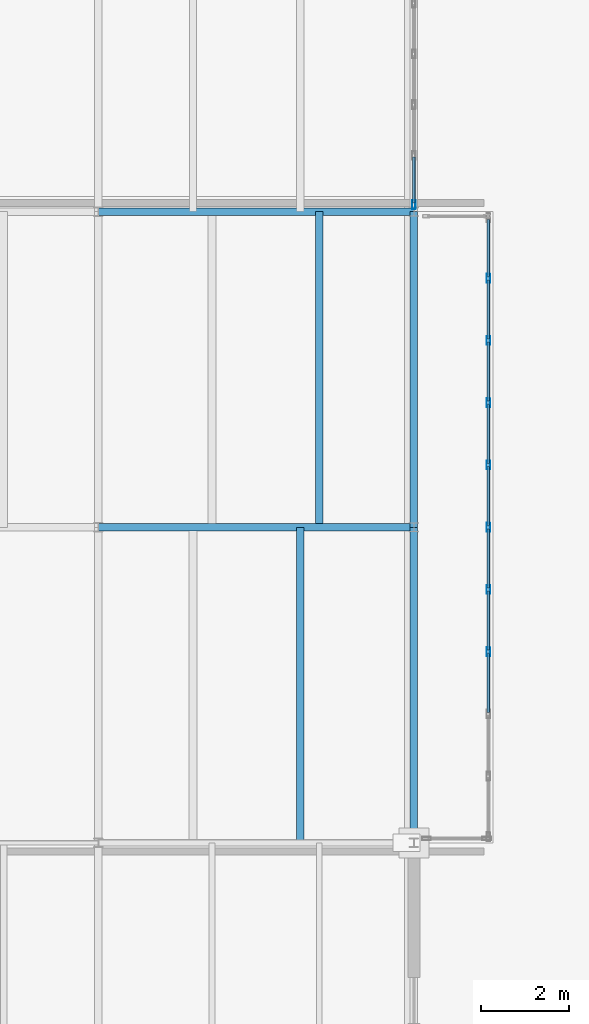
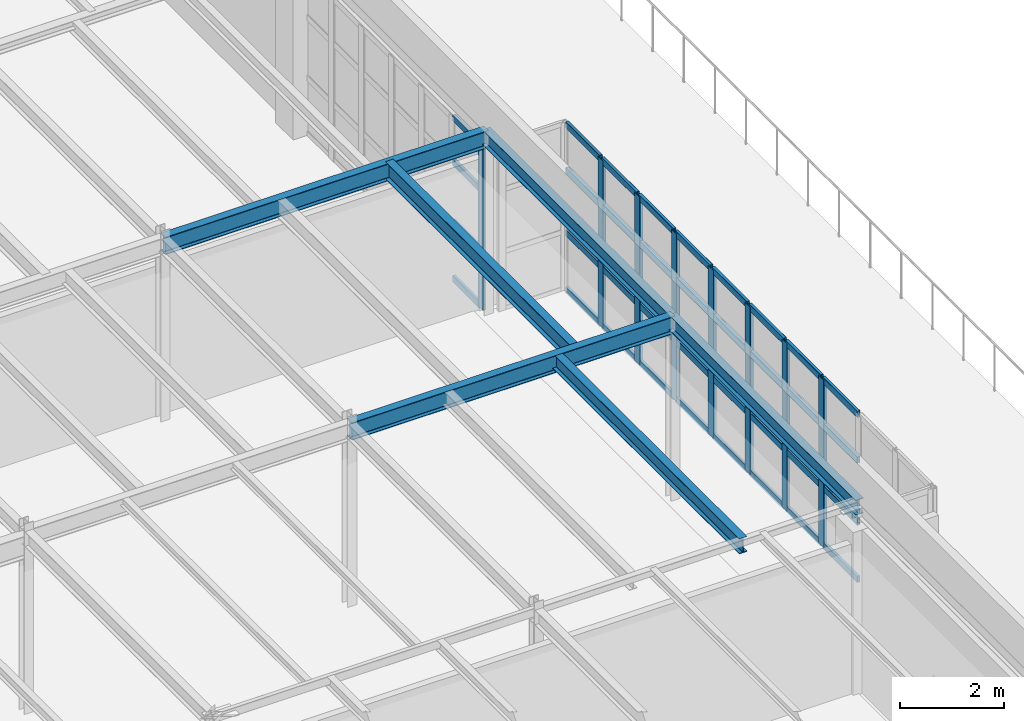
# One storey, part 34 of 43: 44 members, 6 beams, 2 elements without a shape of their own.
"""IFC4 building model written with IfcOpenShell, lengths in metres."""

from ifc_helpers import new_model, si_unit, direction, frame, origin, origin_2d, place, context, subcontext, project, spatial, hollow_rectangle, i_section, extrude, material, layer, layer_set, material_profile, profile_set, type_object, element, aggregate, save


model = new_model("IFC4")

# Units and contexts
model_context = context("Model", 3, precision=1e-05, world=origin(), true_north=direction((0.0, 1.0)))
body_context = subcontext(model_context, "Body", "Model", "MODEL_VIEW")
ifc_project = project(units=[si_unit("LENGTHUNIT", "METRE"), si_unit("AREAUNIT", "SQUARE_METRE"), si_unit("VOLUMEUNIT", "CUBIC_METRE"), si_unit("PLANEANGLEUNIT", "RADIAN"), si_unit("MASSUNIT", "GRAM", prefix="KILO")], contexts=[model_context])

# Site, building, storey
site_placement = place(None, origin())
site = spatial("IfcSite", under=ifc_project, at=site_placement, CompositionType="ELEMENT")
building_placement = place(site_placement, origin())
building = spatial("IfcBuilding", under=site, at=building_placement, Name="Kemerveld Promenade Tramway Depot", CompositionType="ELEMENT")
storey_placement = place(building_placement, frame((0.0, 0.0, 18.89990234375)))
storey = spatial("IfcBuildingStorey", under=building, at=storey_placement, Name="L04", CompositionType="ELEMENT", Elevation=18.89990234375)

# Beams
ifc_material_1 = material(Name="Steel S355", Category="steel")
ifc_material_profile_1 = material_profile(ifc_material_1, i_section(OverallWidth=0.1787109375, OverallDepth=0.409423828125, WebThickness=0.0087890625, FlangeThickness=0.014404296875, FilletRadius=0.01025390625, at=origin_2d()), Name="406x178x67 UB")
ifc_profile_set_1 = profile_set([ifc_material_profile_1], Name="Steel S355")
beam_type_1 = type_object("IfcBeamType", Name="BM-G07", PredefinedType="BEAM", material=ifc_profile_set_1)
for number, where, z_axis, x_axis, name in (
    (1, (28.800048828125, 36.0, 4.115478515625), (1.0, 0.0, 0.0), (0.0, 1.0, 0.0), "BMX-L04-05-06-F"),
    (2, (28.800048828125, 43.199951171875, 4.115478515625), (1.0, 0.0, 0.0), (0.0, 1.0, 0.0), "BMX-L04-05-06-G"),
):
    element("IfcBeam", number, at=place(storey_placement, frame(where, z_axis=z_axis, x_axis=x_axis)), inside=storey, type_object=beam_type_1, Name=name, PredefinedType="BEAM", context=body_context, shape_type="SweptSolid", body=[
        extrude(i_section(OverallWidth=0.1787109375, OverallDepth=0.409423828125, WebThickness=0.0087890625, FlangeThickness=0.014404296875, FilletRadius=0.01025390625, at=origin_2d()), origin(), (0.0, 0.0, 1.0), 7.199951171875),
    ])
ifc_material_profile_2 = material_profile(ifc_material_1, i_section(OverallWidth=0.172119140625, OverallDepth=0.35791015625, WebThickness=0.008056640625, FlangeThickness=0.012939453125, FilletRadius=0.01025390625, at=origin_2d()), Name="356x171x57 UB")
ifc_profile_set_2 = profile_set([ifc_material_profile_2], Name="Steel S355")
beam_type_2 = type_object("IfcBeamType", Name="BM-G08", PredefinedType="BEAM", material=ifc_profile_set_2)
for number, where, z_axis, x_axis, name in (
    (3, (36.0, 28.800048828125, 4.14111328125), (0.0, 1.0, 0.0), (-1.0, 0.0, 0.0), "BMY-L04-06-E-F"),
    (4, (36.0, 36.0, 4.14111328125), (0.0, 1.0, 0.0), (-1.0, 0.0, 0.0), "BMY-L04-06-F-G"),
):
    element("IfcBeam", number, at=place(storey_placement, frame(where, z_axis=z_axis, x_axis=x_axis)), inside=storey, type_object=beam_type_2, Name=name, PredefinedType="BEAM", context=body_context, shape_type="SweptSolid", body=[
        extrude(i_section(OverallWidth=0.172119140625, OverallDepth=0.35791015625, WebThickness=0.008056640625, FlangeThickness=0.012939453125, FilletRadius=0.01025390625, at=origin_2d()), origin(), (0.0, 0.0, 1.0), 7.199951171875),
    ])
ifc_material_profile_3 = material_profile(ifc_material_1, i_section(OverallWidth=0.172119140625, OverallDepth=0.35791015625, WebThickness=0.008056640625, FlangeThickness=0.012939453125, FilletRadius=0.01025390625, at=origin_2d()), Name="356x171x57 UB")
ifc_profile_set_3 = profile_set([ifc_material_profile_3], Name="Steel S355")
beam_type_3 = type_object("IfcBeamType", Name="BM-J04", PredefinedType="JOIST", material=ifc_profile_set_3)
beam_1_placement = place(storey_placement, frame((33.407958984375, 28.800048828125, 4.14111328125), z_axis=(0.0, 1.0, 0.0), x_axis=(-1.0, 0.0, 0.0)))
element("IfcBeam", 5, at=beam_1_placement, inside=storey, type_object=beam_type_3, Name="JST-L04-05-E-2", PredefinedType="JOIST", context=body_context, shape_type="SweptSolid", body=[
    extrude(i_section(OverallWidth=0.172119140625, OverallDepth=0.35791015625, WebThickness=0.008056640625, FlangeThickness=0.012939453125, FilletRadius=0.01025390625, at=origin_2d()), origin(), (0.0, 0.0, 1.0), 7.199951171875),
])
ifc_material_profile_4 = material_profile(ifc_material_1, i_section(OverallWidth=0.1787109375, OverallDepth=0.409423828125, WebThickness=0.0087890625, FlangeThickness=0.014404296875, FilletRadius=0.01025390625, at=origin_2d()), Name="406x178x67 UB")
ifc_profile_set_4 = profile_set([ifc_material_profile_4], Name="Steel S355")
beam_type_4 = type_object("IfcBeamType", Name="BM-J05", PredefinedType="JOIST", material=ifc_profile_set_4)
beam_2_placement = place(storey_placement, frame((33.840087890625, 36.0, 4.115478515625), z_axis=(0.0, 1.0, 0.0), x_axis=(-1.0, 0.0, 0.0)))
element("IfcBeam", 6, at=beam_2_placement, inside=storey, type_object=beam_type_4, Name="JST-L04-05-F-2", PredefinedType="JOIST", context=body_context, shape_type="SweptSolid", body=[
    extrude(i_section(OverallWidth=0.1787109375, OverallDepth=0.409423828125, WebThickness=0.0087890625, FlangeThickness=0.014404296875, FilletRadius=0.01025390625, at=origin_2d()), origin(), (0.0, 0.0, 1.0), 7.199951171875),
])

# Curtain wall, member
ifc_material_2 = material(Name="Bronze anodised aluminium and solar glass", Category="aluminium")
ifc_layer_1 = layer(ifc_material_2, 0.199951171875)
ifc_layer_set_1 = layer_set([ifc_layer_1], Name="CW-SYS-06")
curtain_wall_type_1 = type_object("IfcCurtainWallType", Name="CW-SYS-06", PredefinedType="USERDEFINED", material=ifc_layer_set_1)
curtain_wall_1_placement = place(storey_placement, origin())
curtain_wall_1 = element("IfcCurtainWall", 7, at=curtain_wall_1_placement, inside=storey, type_object=curtain_wall_type_1, Name="CW-L04-V5EN-02", ObjectType="GLAZED_CURTAIN_WALL", PredefinedType="USERDEFINED")
ifc_material_3 = material(Name="Bronze anodised aluminium", Category="aluminium")
ifc_material_profile_5 = material_profile(ifc_material_3, hollow_rectangle(XDim=0.074951171875, YDim=0.199951171875, WallThickness=0.0048828125, InnerFilletRadius=0.001953125, OuterFilletRadius=0.0048828125, at=origin_2d()), Name="CW-MUL-200x75")
ifc_profile_set_5 = profile_set([ifc_material_profile_5], Name="Bronze anodised aluminium")
member_type_1 = type_object("IfcMemberType", Name="CW-MUL-B", PredefinedType="MULLION", material=ifc_profile_set_5)
member_1_placement = place(storey_placement, frame((36.0, 43.3623046875, 0.0), z_axis=(0.0, 0.0, 1.0), x_axis=(1.0, 0.0, 0.0)))
member_1 = element("IfcMember", 8, at=member_1_placement, type_object=member_type_1, Name="CW06 mullion 7", PredefinedType="MULLION", context=body_context, shape_type="SweptSolid", body=[
    extrude(hollow_rectangle(XDim=0.074951171875, YDim=0.199951171875, WallThickness=0.0048828125, InnerFilletRadius=0.001953125, OuterFilletRadius=0.0048828125, at=origin_2d()), origin(), (0.0, 0.0, 1.0), 3.85009765625),
])

# Curtain wall, members
ifc_layer_2 = layer(ifc_material_2, 0.199951171875)
ifc_layer_set_2 = layer_set([ifc_layer_2], Name="CW-SYS-02")
curtain_wall_type_2 = type_object("IfcCurtainWallType", Name="CW-SYS-02", PredefinedType="USERDEFINED", material=ifc_layer_set_2)
curtain_wall_2_placement = place(storey_placement, origin())
curtain_wall_2 = element("IfcCurtainWall", 9, at=curtain_wall_2_placement, inside=storey, type_object=curtain_wall_type_2, Name="CW-L04-CUMBA-E", ObjectType="GLAZED_CURTAIN_WALL", PredefinedType="USERDEFINED")
member_2_placement = place(storey_placement, frame((37.699951171875, 41.679931640625, 0.0), z_axis=(0.0, 0.0, 1.0), x_axis=(1.0, 0.0, 0.0)))
member_2 = element("IfcMember", 10, at=member_2_placement, type_object=member_type_1, Name="CW02 mullion 2", PredefinedType="MULLION", context=body_context, shape_type="SweptSolid", body=[
    extrude(hollow_rectangle(XDim=0.074951171875, YDim=0.199951171875, WallThickness=0.0048828125, InnerFilletRadius=0.001953125, OuterFilletRadius=0.0048828125, at=origin_2d()), origin(), (0.0, 0.0, 1.0), 3.9501953125),
])
member_3_placement = place(storey_placement, frame((37.699951171875, 40.260009765625, 0.0), z_axis=(0.0, 0.0, 1.0), x_axis=(1.0, 0.0, 0.0)))
member_3 = element("IfcMember", 11, at=member_3_placement, type_object=member_type_1, Name="CW02 mullion 3", PredefinedType="MULLION", context=body_context, shape_type="SweptSolid", body=[
    extrude(hollow_rectangle(XDim=0.074951171875, YDim=0.199951171875, WallThickness=0.0048828125, InnerFilletRadius=0.001953125, OuterFilletRadius=0.0048828125, at=origin_2d()), origin(), (0.0, 0.0, 1.0), 3.9501953125),
])
member_4_placement = place(storey_placement, frame((37.699951171875, 38.840087890625, 0.0), z_axis=(0.0, 0.0, 1.0), x_axis=(1.0, 0.0, 0.0)))
member_4 = element("IfcMember", 12, at=member_4_placement, type_object=member_type_1, Name="CW02 mullion 4", PredefinedType="MULLION", context=body_context, shape_type="SweptSolid", body=[
    extrude(hollow_rectangle(XDim=0.074951171875, YDim=0.199951171875, WallThickness=0.0048828125, InnerFilletRadius=0.001953125, OuterFilletRadius=0.0048828125, at=origin_2d()), origin(), (0.0, 0.0, 1.0), 3.9501953125),
])
member_5_placement = place(storey_placement, frame((37.699951171875, 37.419921875, 0.0), z_axis=(0.0, 0.0, 1.0), x_axis=(1.0, 0.0, 0.0)))
member_5 = element("IfcMember", 13, at=member_5_placement, type_object=member_type_1, Name="CW02 mullion 5", PredefinedType="MULLION", context=body_context, shape_type="SweptSolid", body=[
    extrude(hollow_rectangle(XDim=0.074951171875, YDim=0.199951171875, WallThickness=0.0048828125, InnerFilletRadius=0.001953125, OuterFilletRadius=0.0048828125, at=origin_2d()), origin(), (0.0, 0.0, 1.0), 3.9501953125),
])
member_6_placement = place(storey_placement, frame((37.699951171875, 36.0, 0.0), z_axis=(0.0, 0.0, 1.0), x_axis=(1.0, 0.0, 0.0)))
member_6 = element("IfcMember", 14, at=member_6_placement, type_object=member_type_1, Name="CW02 mullion 6", PredefinedType="MULLION", context=body_context, shape_type="SweptSolid", body=[
    extrude(hollow_rectangle(XDim=0.074951171875, YDim=0.199951171875, WallThickness=0.0048828125, InnerFilletRadius=0.001953125, OuterFilletRadius=0.0048828125, at=origin_2d()), origin(), (0.0, 0.0, 1.0), 3.9501953125),
])
member_7_placement = place(storey_placement, frame((37.699951171875, 34.580078125, 0.0), z_axis=(0.0, 0.0, 1.0), x_axis=(1.0, 0.0, 0.0)))
member_7 = element("IfcMember", 15, at=member_7_placement, type_object=member_type_1, Name="CW02 mullion 7", PredefinedType="MULLION", context=body_context, shape_type="SweptSolid", body=[
    extrude(hollow_rectangle(XDim=0.074951171875, YDim=0.199951171875, WallThickness=0.0048828125, InnerFilletRadius=0.001953125, OuterFilletRadius=0.0048828125, at=origin_2d()), origin(), (0.0, 0.0, 1.0), 3.9501953125),
])
member_8_placement = place(storey_placement, frame((37.699951171875, 33.159912109375, 0.0), z_axis=(0.0, 0.0, 1.0), x_axis=(1.0, 0.0, 0.0)))
member_8 = element("IfcMember", 16, at=member_8_placement, type_object=member_type_1, Name="CW02 mullion 8", PredefinedType="MULLION", context=body_context, shape_type="SweptSolid", body=[
    extrude(hollow_rectangle(XDim=0.074951171875, YDim=0.199951171875, WallThickness=0.0048828125, InnerFilletRadius=0.001953125, OuterFilletRadius=0.0048828125, at=origin_2d()), origin(), (0.0, 0.0, 1.0), 3.9501953125),
])

# Member
ifc_material_profile_6 = material_profile(ifc_material_3, hollow_rectangle(XDim=0.06494140625, YDim=0.14990234375, WallThickness=0.00439453125, InnerFilletRadius=0.001953125, OuterFilletRadius=0.00439453125, at=origin_2d()), Name="CW-TRN-150x65")
ifc_profile_set_6 = profile_set([ifc_material_profile_6], Name="Bronze anodised aluminium")
member_type_2 = type_object("IfcMemberType", Name="CW-TRN-B", PredefinedType="USERDEFINED", material=ifc_profile_set_6)
member_9_placement = place(storey_placement, frame((36.0, 44.44580078125, 0.03271484375), z_axis=(0.0, -1.0, 0.0), x_axis=(1.0, 0.0, 0.0)))
member_9 = element("IfcMember", 17, at=member_9_placement, type_object=member_type_2, Name="CW06 transom 6.1", ObjectType="TRANSOM", PredefinedType="USERDEFINED", context=body_context, shape_type="SweptSolid", body=[
    extrude(hollow_rectangle(XDim=0.06494140625, YDim=0.14990234375, WallThickness=0.00439453125, InnerFilletRadius=0.001953125, OuterFilletRadius=0.00439453125, at=origin_2d()), origin(), (0.0, 0.0, 1.0), 1.0458984375),
])

member_10_placement = place(storey_placement, frame((36.0, 44.44580078125, 1.34716796875), z_axis=(0.0, -1.0, 0.0), x_axis=(1.0, 0.0, 0.0)))
member_10 = element("IfcMember", 18, at=member_10_placement, type_object=member_type_2, Name="CW06 transom 6.2", ObjectType="TRANSOM", PredefinedType="USERDEFINED", context=body_context, shape_type="SweptSolid", body=[
    extrude(hollow_rectangle(XDim=0.06494140625, YDim=0.14990234375, WallThickness=0.00439453125, InnerFilletRadius=0.001953125, OuterFilletRadius=0.00439453125, at=origin_2d()), origin(), (0.0, 0.0, 1.0), 1.0458984375),
])

member_11_placement = place(storey_placement, frame((36.0, 44.44580078125, 2.772216796875), z_axis=(0.0, -1.0, 0.0), x_axis=(1.0, 0.0, 0.0)))
member_11 = element("IfcMember", 19, at=member_11_placement, type_object=member_type_2, Name="CW06 transom 6.3", ObjectType="TRANSOM", PredefinedType="USERDEFINED", context=body_context, shape_type="SweptSolid", body=[
    extrude(hollow_rectangle(XDim=0.06494140625, YDim=0.14990234375, WallThickness=0.00439453125, InnerFilletRadius=0.001953125, OuterFilletRadius=0.00439453125, at=origin_2d()), origin(), (0.0, 0.0, 1.0), 1.0458984375),
])

member_12_placement = place(storey_placement, frame((36.0, 44.44580078125, 3.817626953125), z_axis=(0.0, -1.0, 0.0), x_axis=(1.0, 0.0, 0.0)))
member_12 = element("IfcMember", 20, at=member_12_placement, type_object=member_type_2, Name="CW06 transom 6.4", ObjectType="TRANSOM", PredefinedType="USERDEFINED", context=body_context, shape_type="SweptSolid", body=[
    extrude(hollow_rectangle(XDim=0.06494140625, YDim=0.14990234375, WallThickness=0.00439453125, InnerFilletRadius=0.001953125, OuterFilletRadius=0.00439453125, at=origin_2d()), origin(), (0.0, 0.0, 1.0), 1.0458984375),
])

aggregate(curtain_wall_1, [member_1, member_9, member_10, member_11, member_12])

member_13_placement = place(storey_placement, frame((37.699951171875, 43.02490234375, 0.03271484375), z_axis=(0.0, -1.0, 0.0), x_axis=(1.0, 0.0, 0.0)))
member_13 = element("IfcMember", 21, at=member_13_placement, type_object=member_type_2, Name="CW02 transom 1.1", ObjectType="TRANSOM", PredefinedType="USERDEFINED", context=body_context, shape_type="SweptSolid", body=[
    extrude(hollow_rectangle(XDim=0.06494140625, YDim=0.14990234375, WallThickness=0.00439453125, InnerFilletRadius=0.001953125, OuterFilletRadius=0.00439453125, at=origin_2d()), origin(), (0.0, 0.0, 1.0), 1.307373046875),
])

member_14_placement = place(storey_placement, frame((37.699951171875, 43.02490234375, 1.382080078125), z_axis=(0.0, -1.0, 0.0), x_axis=(1.0, 0.0, 0.0)))
member_14 = element("IfcMember", 22, at=member_14_placement, type_object=member_type_2, Name="CW02 transom 1.2", ObjectType="TRANSOM", PredefinedType="USERDEFINED", context=body_context, shape_type="SweptSolid", body=[
    extrude(hollow_rectangle(XDim=0.06494140625, YDim=0.14990234375, WallThickness=0.00439453125, InnerFilletRadius=0.001953125, OuterFilletRadius=0.00439453125, at=origin_2d()), origin(), (0.0, 0.0, 1.0), 1.307373046875),
])

member_15_placement = place(storey_placement, frame((37.699951171875, 43.02490234375, 2.843994140625), z_axis=(0.0, -1.0, 0.0), x_axis=(1.0, 0.0, 0.0)))
member_15 = element("IfcMember", 23, at=member_15_placement, type_object=member_type_2, Name="CW02 transom 1.3", ObjectType="TRANSOM", PredefinedType="USERDEFINED", context=body_context, shape_type="SweptSolid", body=[
    extrude(hollow_rectangle(XDim=0.06494140625, YDim=0.14990234375, WallThickness=0.00439453125, InnerFilletRadius=0.001953125, OuterFilletRadius=0.00439453125, at=origin_2d()), origin(), (0.0, 0.0, 1.0), 1.307373046875),
])

member_16_placement = place(storey_placement, frame((37.699951171875, 43.02490234375, 3.91748046875), z_axis=(0.0, -1.0, 0.0), x_axis=(1.0, 0.0, 0.0)))
member_16 = element("IfcMember", 24, at=member_16_placement, type_object=member_type_2, Name="CW02 transom 1.4", ObjectType="TRANSOM", PredefinedType="USERDEFINED", context=body_context, shape_type="SweptSolid", body=[
    extrude(hollow_rectangle(XDim=0.06494140625, YDim=0.14990234375, WallThickness=0.00439453125, InnerFilletRadius=0.001953125, OuterFilletRadius=0.00439453125, at=origin_2d()), origin(), (0.0, 0.0, 1.0), 1.307373046875),
])

member_17_placement = place(storey_placement, frame((37.699951171875, 41.642578125, 0.03271484375), z_axis=(0.0, -1.0, 0.0), x_axis=(1.0, 0.0, 0.0)))
member_17 = element("IfcMember", 25, at=member_17_placement, type_object=member_type_2, Name="CW02 transom 2.1", ObjectType="TRANSOM", PredefinedType="USERDEFINED", context=body_context, shape_type="SweptSolid", body=[
    extrude(hollow_rectangle(XDim=0.06494140625, YDim=0.14990234375, WallThickness=0.00439453125, InnerFilletRadius=0.001953125, OuterFilletRadius=0.00439453125, at=origin_2d()), origin(), (0.0, 0.0, 1.0), 1.344970703125),
])

member_18_placement = place(storey_placement, frame((37.699951171875, 41.642578125, 1.382080078125), z_axis=(0.0, -1.0, 0.0), x_axis=(1.0, 0.0, 0.0)))
member_18 = element("IfcMember", 26, at=member_18_placement, type_object=member_type_2, Name="CW02 transom 2.2", ObjectType="TRANSOM", PredefinedType="USERDEFINED", context=body_context, shape_type="SweptSolid", body=[
    extrude(hollow_rectangle(XDim=0.06494140625, YDim=0.14990234375, WallThickness=0.00439453125, InnerFilletRadius=0.001953125, OuterFilletRadius=0.00439453125, at=origin_2d()), origin(), (0.0, 0.0, 1.0), 1.344970703125),
])

member_19_placement = place(storey_placement, frame((37.699951171875, 41.642578125, 2.843994140625), z_axis=(0.0, -1.0, 0.0), x_axis=(1.0, 0.0, 0.0)))
member_19 = element("IfcMember", 27, at=member_19_placement, type_object=member_type_2, Name="CW02 transom 2.3", ObjectType="TRANSOM", PredefinedType="USERDEFINED", context=body_context, shape_type="SweptSolid", body=[
    extrude(hollow_rectangle(XDim=0.06494140625, YDim=0.14990234375, WallThickness=0.00439453125, InnerFilletRadius=0.001953125, OuterFilletRadius=0.00439453125, at=origin_2d()), origin(), (0.0, 0.0, 1.0), 1.344970703125),
])

member_20_placement = place(storey_placement, frame((37.699951171875, 41.642578125, 3.91748046875), z_axis=(0.0, -1.0, 0.0), x_axis=(1.0, 0.0, 0.0)))
member_20 = element("IfcMember", 28, at=member_20_placement, type_object=member_type_2, Name="CW02 transom 2.4", ObjectType="TRANSOM", PredefinedType="USERDEFINED", context=body_context, shape_type="SweptSolid", body=[
    extrude(hollow_rectangle(XDim=0.06494140625, YDim=0.14990234375, WallThickness=0.00439453125, InnerFilletRadius=0.001953125, OuterFilletRadius=0.00439453125, at=origin_2d()), origin(), (0.0, 0.0, 1.0), 1.344970703125),
])

member_21_placement = place(storey_placement, frame((37.699951171875, 40.222412109375, 0.03271484375), z_axis=(0.0, -1.0, 0.0), x_axis=(1.0, 0.0, 0.0)))
member_21 = element("IfcMember", 29, at=member_21_placement, type_object=member_type_2, Name="CW02 transom 3.1", ObjectType="TRANSOM", PredefinedType="USERDEFINED", context=body_context, shape_type="SweptSolid", body=[
    extrude(hollow_rectangle(XDim=0.06494140625, YDim=0.14990234375, WallThickness=0.00439453125, InnerFilletRadius=0.001953125, OuterFilletRadius=0.00439453125, at=origin_2d()), origin(), (0.0, 0.0, 1.0), 1.344970703125),
])

member_22_placement = place(storey_placement, frame((37.699951171875, 40.222412109375, 1.382080078125), z_axis=(0.0, -1.0, 0.0), x_axis=(1.0, 0.0, 0.0)))
member_22 = element("IfcMember", 30, at=member_22_placement, type_object=member_type_2, Name="CW02 transom 3.2", ObjectType="TRANSOM", PredefinedType="USERDEFINED", context=body_context, shape_type="SweptSolid", body=[
    extrude(hollow_rectangle(XDim=0.06494140625, YDim=0.14990234375, WallThickness=0.00439453125, InnerFilletRadius=0.001953125, OuterFilletRadius=0.00439453125, at=origin_2d()), origin(), (0.0, 0.0, 1.0), 1.344970703125),
])

member_23_placement = place(storey_placement, frame((37.699951171875, 40.222412109375, 2.843994140625), z_axis=(0.0, -1.0, 0.0), x_axis=(1.0, 0.0, 0.0)))
member_23 = element("IfcMember", 31, at=member_23_placement, type_object=member_type_2, Name="CW02 transom 3.3", ObjectType="TRANSOM", PredefinedType="USERDEFINED", context=body_context, shape_type="SweptSolid", body=[
    extrude(hollow_rectangle(XDim=0.06494140625, YDim=0.14990234375, WallThickness=0.00439453125, InnerFilletRadius=0.001953125, OuterFilletRadius=0.00439453125, at=origin_2d()), origin(), (0.0, 0.0, 1.0), 1.344970703125),
])

member_24_placement = place(storey_placement, frame((37.699951171875, 40.222412109375, 3.91748046875), z_axis=(0.0, -1.0, 0.0), x_axis=(1.0, 0.0, 0.0)))
member_24 = element("IfcMember", 32, at=member_24_placement, type_object=member_type_2, Name="CW02 transom 3.4", ObjectType="TRANSOM", PredefinedType="USERDEFINED", context=body_context, shape_type="SweptSolid", body=[
    extrude(hollow_rectangle(XDim=0.06494140625, YDim=0.14990234375, WallThickness=0.00439453125, InnerFilletRadius=0.001953125, OuterFilletRadius=0.00439453125, at=origin_2d()), origin(), (0.0, 0.0, 1.0), 1.344970703125),
])

member_25_placement = place(storey_placement, frame((37.699951171875, 38.802490234375, 0.03271484375), z_axis=(0.0, -1.0, 0.0), x_axis=(1.0, 0.0, 0.0)))
member_25 = element("IfcMember", 33, at=member_25_placement, type_object=member_type_2, Name="CW02 transom 4.1", ObjectType="TRANSOM", PredefinedType="USERDEFINED", context=body_context, shape_type="SweptSolid", body=[
    extrude(hollow_rectangle(XDim=0.06494140625, YDim=0.14990234375, WallThickness=0.00439453125, InnerFilletRadius=0.001953125, OuterFilletRadius=0.00439453125, at=origin_2d()), origin(), (0.0, 0.0, 1.0), 1.344970703125),
])

member_26_placement = place(storey_placement, frame((37.699951171875, 38.802490234375, 1.382080078125), z_axis=(0.0, -1.0, 0.0), x_axis=(1.0, 0.0, 0.0)))
member_26 = element("IfcMember", 34, at=member_26_placement, type_object=member_type_2, Name="CW02 transom 4.2", ObjectType="TRANSOM", PredefinedType="USERDEFINED", context=body_context, shape_type="SweptSolid", body=[
    extrude(hollow_rectangle(XDim=0.06494140625, YDim=0.14990234375, WallThickness=0.00439453125, InnerFilletRadius=0.001953125, OuterFilletRadius=0.00439453125, at=origin_2d()), origin(), (0.0, 0.0, 1.0), 1.344970703125),
])

member_27_placement = place(storey_placement, frame((37.699951171875, 38.802490234375, 2.843994140625), z_axis=(0.0, -1.0, 0.0), x_axis=(1.0, 0.0, 0.0)))
member_27 = element("IfcMember", 35, at=member_27_placement, type_object=member_type_2, Name="CW02 transom 4.3", ObjectType="TRANSOM", PredefinedType="USERDEFINED", context=body_context, shape_type="SweptSolid", body=[
    extrude(hollow_rectangle(XDim=0.06494140625, YDim=0.14990234375, WallThickness=0.00439453125, InnerFilletRadius=0.001953125, OuterFilletRadius=0.00439453125, at=origin_2d()), origin(), (0.0, 0.0, 1.0), 1.344970703125),
])

member_28_placement = place(storey_placement, frame((37.699951171875, 38.802490234375, 3.91748046875), z_axis=(0.0, -1.0, 0.0), x_axis=(1.0, 0.0, 0.0)))
member_28 = element("IfcMember", 36, at=member_28_placement, type_object=member_type_2, Name="CW02 transom 4.4", ObjectType="TRANSOM", PredefinedType="USERDEFINED", context=body_context, shape_type="SweptSolid", body=[
    extrude(hollow_rectangle(XDim=0.06494140625, YDim=0.14990234375, WallThickness=0.00439453125, InnerFilletRadius=0.001953125, OuterFilletRadius=0.00439453125, at=origin_2d()), origin(), (0.0, 0.0, 1.0), 1.344970703125),
])

member_29_placement = place(storey_placement, frame((37.699951171875, 37.382568359375, 0.03271484375), z_axis=(0.0, -1.0, 0.0), x_axis=(1.0, 0.0, 0.0)))
member_29 = element("IfcMember", 37, at=member_29_placement, type_object=member_type_2, Name="CW02 transom 5.1", ObjectType="TRANSOM", PredefinedType="USERDEFINED", context=body_context, shape_type="SweptSolid", body=[
    extrude(hollow_rectangle(XDim=0.06494140625, YDim=0.14990234375, WallThickness=0.00439453125, InnerFilletRadius=0.001953125, OuterFilletRadius=0.00439453125, at=origin_2d()), origin(), (0.0, 0.0, 1.0), 1.344970703125),
])

member_30_placement = place(storey_placement, frame((37.699951171875, 37.382568359375, 1.382080078125), z_axis=(0.0, -1.0, 0.0), x_axis=(1.0, 0.0, 0.0)))
member_30 = element("IfcMember", 38, at=member_30_placement, type_object=member_type_2, Name="CW02 transom 5.2", ObjectType="TRANSOM", PredefinedType="USERDEFINED", context=body_context, shape_type="SweptSolid", body=[
    extrude(hollow_rectangle(XDim=0.06494140625, YDim=0.14990234375, WallThickness=0.00439453125, InnerFilletRadius=0.001953125, OuterFilletRadius=0.00439453125, at=origin_2d()), origin(), (0.0, 0.0, 1.0), 1.344970703125),
])

member_31_placement = place(storey_placement, frame((37.699951171875, 37.382568359375, 2.843994140625), z_axis=(0.0, -1.0, 0.0), x_axis=(1.0, 0.0, 0.0)))
member_31 = element("IfcMember", 39, at=member_31_placement, type_object=member_type_2, Name="CW02 transom 5.3", ObjectType="TRANSOM", PredefinedType="USERDEFINED", context=body_context, shape_type="SweptSolid", body=[
    extrude(hollow_rectangle(XDim=0.06494140625, YDim=0.14990234375, WallThickness=0.00439453125, InnerFilletRadius=0.001953125, OuterFilletRadius=0.00439453125, at=origin_2d()), origin(), (0.0, 0.0, 1.0), 1.344970703125),
])

member_32_placement = place(storey_placement, frame((37.699951171875, 37.382568359375, 3.91748046875), z_axis=(0.0, -1.0, 0.0), x_axis=(1.0, 0.0, 0.0)))
member_32 = element("IfcMember", 40, at=member_32_placement, type_object=member_type_2, Name="CW02 transom 5.4", ObjectType="TRANSOM", PredefinedType="USERDEFINED", context=body_context, shape_type="SweptSolid", body=[
    extrude(hollow_rectangle(XDim=0.06494140625, YDim=0.14990234375, WallThickness=0.00439453125, InnerFilletRadius=0.001953125, OuterFilletRadius=0.00439453125, at=origin_2d()), origin(), (0.0, 0.0, 1.0), 1.344970703125),
])

member_33_placement = place(storey_placement, frame((37.699951171875, 35.96240234375, 0.03271484375), z_axis=(0.0, -1.0, 0.0), x_axis=(1.0, 0.0, 0.0)))
member_33 = element("IfcMember", 41, at=member_33_placement, type_object=member_type_2, Name="CW02 transom 6.1", ObjectType="TRANSOM", PredefinedType="USERDEFINED", context=body_context, shape_type="SweptSolid", body=[
    extrude(hollow_rectangle(XDim=0.06494140625, YDim=0.14990234375, WallThickness=0.00439453125, InnerFilletRadius=0.001953125, OuterFilletRadius=0.00439453125, at=origin_2d()), origin(), (0.0, 0.0, 1.0), 1.344970703125),
])

member_34_placement = place(storey_placement, frame((37.699951171875, 35.96240234375, 1.382080078125), z_axis=(0.0, -1.0, 0.0), x_axis=(1.0, 0.0, 0.0)))
member_34 = element("IfcMember", 42, at=member_34_placement, type_object=member_type_2, Name="CW02 transom 6.2", ObjectType="TRANSOM", PredefinedType="USERDEFINED", context=body_context, shape_type="SweptSolid", body=[
    extrude(hollow_rectangle(XDim=0.06494140625, YDim=0.14990234375, WallThickness=0.00439453125, InnerFilletRadius=0.001953125, OuterFilletRadius=0.00439453125, at=origin_2d()), origin(), (0.0, 0.0, 1.0), 1.344970703125),
])

member_35_placement = place(storey_placement, frame((37.699951171875, 35.96240234375, 2.843994140625), z_axis=(0.0, -1.0, 0.0), x_axis=(1.0, 0.0, 0.0)))
member_35 = element("IfcMember", 43, at=member_35_placement, type_object=member_type_2, Name="CW02 transom 6.3", ObjectType="TRANSOM", PredefinedType="USERDEFINED", context=body_context, shape_type="SweptSolid", body=[
    extrude(hollow_rectangle(XDim=0.06494140625, YDim=0.14990234375, WallThickness=0.00439453125, InnerFilletRadius=0.001953125, OuterFilletRadius=0.00439453125, at=origin_2d()), origin(), (0.0, 0.0, 1.0), 1.344970703125),
])

member_36_placement = place(storey_placement, frame((37.699951171875, 35.96240234375, 3.91748046875), z_axis=(0.0, -1.0, 0.0), x_axis=(1.0, 0.0, 0.0)))
member_36 = element("IfcMember", 44, at=member_36_placement, type_object=member_type_2, Name="CW02 transom 6.4", ObjectType="TRANSOM", PredefinedType="USERDEFINED", context=body_context, shape_type="SweptSolid", body=[
    extrude(hollow_rectangle(XDim=0.06494140625, YDim=0.14990234375, WallThickness=0.00439453125, InnerFilletRadius=0.001953125, OuterFilletRadius=0.00439453125, at=origin_2d()), origin(), (0.0, 0.0, 1.0), 1.344970703125),
])

member_37_placement = place(storey_placement, frame((37.699951171875, 34.54248046875, 0.03271484375), z_axis=(0.0, -1.0, 0.0), x_axis=(1.0, 0.0, 0.0)))
member_37 = element("IfcMember", 45, at=member_37_placement, type_object=member_type_2, Name="CW02 transom 7.1", ObjectType="TRANSOM", PredefinedType="USERDEFINED", context=body_context, shape_type="SweptSolid", body=[
    extrude(hollow_rectangle(XDim=0.06494140625, YDim=0.14990234375, WallThickness=0.00439453125, InnerFilletRadius=0.001953125, OuterFilletRadius=0.00439453125, at=origin_2d()), origin(), (0.0, 0.0, 1.0), 1.344970703125),
])

member_38_placement = place(storey_placement, frame((37.699951171875, 34.54248046875, 1.382080078125), z_axis=(0.0, -1.0, 0.0), x_axis=(1.0, 0.0, 0.0)))
member_38 = element("IfcMember", 46, at=member_38_placement, type_object=member_type_2, Name="CW02 transom 7.2", ObjectType="TRANSOM", PredefinedType="USERDEFINED", context=body_context, shape_type="SweptSolid", body=[
    extrude(hollow_rectangle(XDim=0.06494140625, YDim=0.14990234375, WallThickness=0.00439453125, InnerFilletRadius=0.001953125, OuterFilletRadius=0.00439453125, at=origin_2d()), origin(), (0.0, 0.0, 1.0), 1.344970703125),
])

member_39_placement = place(storey_placement, frame((37.699951171875, 34.54248046875, 2.843994140625), z_axis=(0.0, -1.0, 0.0), x_axis=(1.0, 0.0, 0.0)))
member_39 = element("IfcMember", 47, at=member_39_placement, type_object=member_type_2, Name="CW02 transom 7.3", ObjectType="TRANSOM", PredefinedType="USERDEFINED", context=body_context, shape_type="SweptSolid", body=[
    extrude(hollow_rectangle(XDim=0.06494140625, YDim=0.14990234375, WallThickness=0.00439453125, InnerFilletRadius=0.001953125, OuterFilletRadius=0.00439453125, at=origin_2d()), origin(), (0.0, 0.0, 1.0), 1.344970703125),
])

member_40_placement = place(storey_placement, frame((37.699951171875, 34.54248046875, 3.91748046875), z_axis=(0.0, -1.0, 0.0), x_axis=(1.0, 0.0, 0.0)))
member_40 = element("IfcMember", 48, at=member_40_placement, type_object=member_type_2, Name="CW02 transom 7.4", ObjectType="TRANSOM", PredefinedType="USERDEFINED", context=body_context, shape_type="SweptSolid", body=[
    extrude(hollow_rectangle(XDim=0.06494140625, YDim=0.14990234375, WallThickness=0.00439453125, InnerFilletRadius=0.001953125, OuterFilletRadius=0.00439453125, at=origin_2d()), origin(), (0.0, 0.0, 1.0), 1.344970703125),
])

member_41_placement = place(storey_placement, frame((37.699951171875, 33.12255859375, 0.03271484375), z_axis=(0.0, -1.0, 0.0), x_axis=(1.0, 0.0, 0.0)))
member_41 = element("IfcMember", 49, at=member_41_placement, type_object=member_type_2, Name="CW02 transom 8.1", ObjectType="TRANSOM", PredefinedType="USERDEFINED", context=body_context, shape_type="SweptSolid", body=[
    extrude(hollow_rectangle(XDim=0.06494140625, YDim=0.14990234375, WallThickness=0.00439453125, InnerFilletRadius=0.001953125, OuterFilletRadius=0.00439453125, at=origin_2d()), origin(), (0.0, 0.0, 1.0), 1.344970703125),
])

member_42_placement = place(storey_placement, frame((37.699951171875, 33.12255859375, 1.382080078125), z_axis=(0.0, -1.0, 0.0), x_axis=(1.0, 0.0, 0.0)))
member_42 = element("IfcMember", 50, at=member_42_placement, type_object=member_type_2, Name="CW02 transom 8.2", ObjectType="TRANSOM", PredefinedType="USERDEFINED", context=body_context, shape_type="SweptSolid", body=[
    extrude(hollow_rectangle(XDim=0.06494140625, YDim=0.14990234375, WallThickness=0.00439453125, InnerFilletRadius=0.001953125, OuterFilletRadius=0.00439453125, at=origin_2d()), origin(), (0.0, 0.0, 1.0), 1.344970703125),
])

member_43_placement = place(storey_placement, frame((37.699951171875, 33.12255859375, 2.843994140625), z_axis=(0.0, -1.0, 0.0), x_axis=(1.0, 0.0, 0.0)))
member_43 = element("IfcMember", 51, at=member_43_placement, type_object=member_type_2, Name="CW02 transom 8.3", ObjectType="TRANSOM", PredefinedType="USERDEFINED", context=body_context, shape_type="SweptSolid", body=[
    extrude(hollow_rectangle(XDim=0.06494140625, YDim=0.14990234375, WallThickness=0.00439453125, InnerFilletRadius=0.001953125, OuterFilletRadius=0.00439453125, at=origin_2d()), origin(), (0.0, 0.0, 1.0), 1.344970703125),
])

member_44_placement = place(storey_placement, frame((37.699951171875, 33.12255859375, 3.91748046875), z_axis=(0.0, -1.0, 0.0), x_axis=(1.0, 0.0, 0.0)))
member_44 = element("IfcMember", 52, at=member_44_placement, type_object=member_type_2, Name="CW02 transom 8.4", ObjectType="TRANSOM", PredefinedType="USERDEFINED", context=body_context, shape_type="SweptSolid", body=[
    extrude(hollow_rectangle(XDim=0.06494140625, YDim=0.14990234375, WallThickness=0.00439453125, InnerFilletRadius=0.001953125, OuterFilletRadius=0.00439453125, at=origin_2d()), origin(), (0.0, 0.0, 1.0), 1.344970703125),
])

aggregate(curtain_wall_2, [member_2, member_3, member_4, member_5, member_6, member_7, member_8, member_13, member_14, member_15, member_16, member_17, member_18, member_19, member_20, member_21, member_22, member_23, member_24, member_25, member_26, member_27, member_28, member_29, member_30, member_31, member_32, member_33, member_34, member_35, member_36, member_37, member_38, member_39, member_40, member_41, member_42, member_43, member_44])

save(model, "model.ifc")
